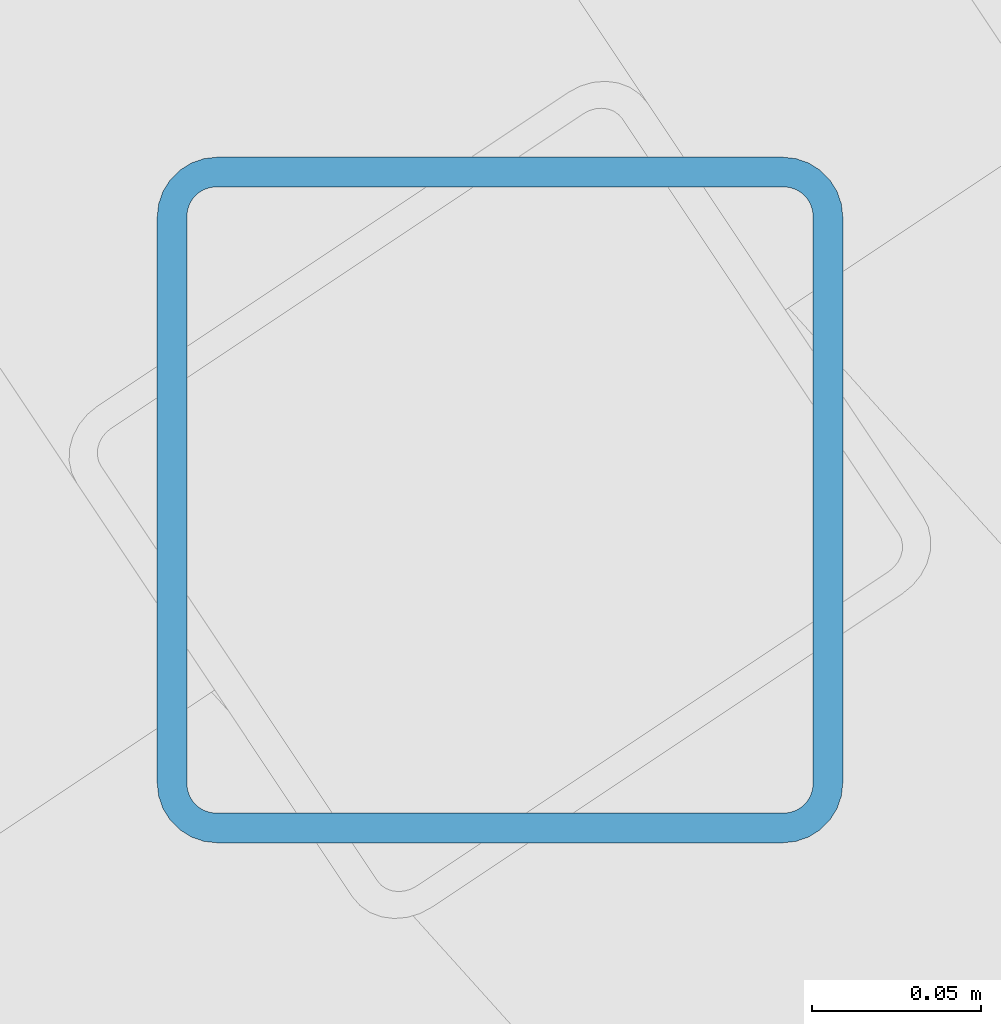
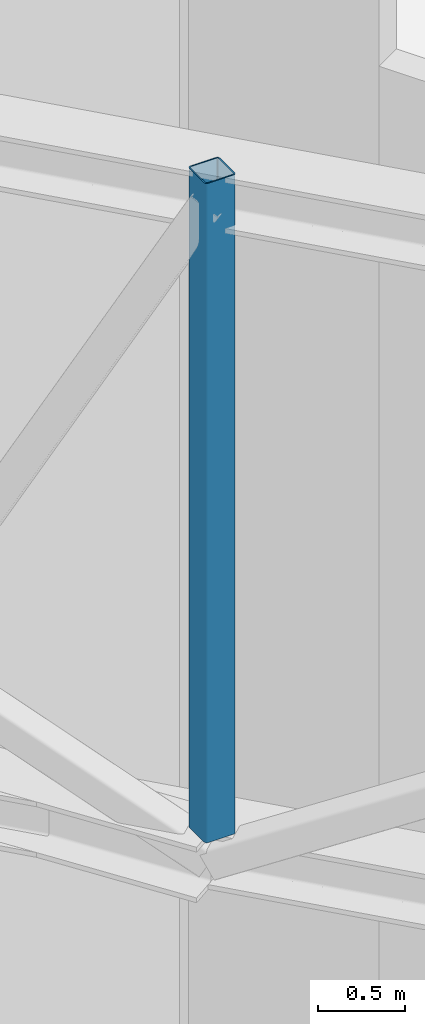
# One storey, part 4 of 23: 1 member.
"""IFC4 building model written with IfcOpenShell, lengths in metres."""

from ifc_helpers import new_model, si_unit, direction, frame, origin, origin_2d, place, context, subcontext, project, spatial, hollow_rectangle, extrude, material, material_profile, profile_set, type_object, element, save


model = new_model("IFC4")

# Units and contexts
model_context = context("Model", 3, precision=1e-05, world=origin(), true_north=direction((0.0, 1.0)))
body_context = subcontext(model_context, "Body", "Model", "MODEL_VIEW")
ifc_project = project(units=[si_unit("LENGTHUNIT", "METRE"), si_unit("AREAUNIT", "SQUARE_METRE"), si_unit("VOLUMEUNIT", "CUBIC_METRE"), si_unit("PLANEANGLEUNIT", "RADIAN"), si_unit("MASSUNIT", "GRAM", prefix="KILO")], contexts=[model_context])

# Site, building, storey
site_placement = place(None, origin())
site = spatial("IfcSite", under=ifc_project, at=site_placement, CompositionType="ELEMENT")
building_placement = place(site_placement, origin())
building = spatial("IfcBuilding", under=site, at=building_placement, Name="Tramontana Tower", CompositionType="ELEMENT")
storey_placement = place(building_placement, frame((0.0, 0.0, 306.39990234375)))
storey = spatial("IfcBuildingStorey", under=building, at=storey_placement, Name="L72", CompositionType="ELEMENT", Elevation=306.39990234375)

# Member
ifc_material = material(Name="Steel ASTM A500 Grade C", Category="steel")
ifc_material_profile = material_profile(ifc_material, hollow_rectangle(XDim=0.203125, YDim=0.203125, WallThickness=0.0087890625, InnerFilletRadius=0.0087890625, OuterFilletRadius=0.017822265625, at=origin_2d()), Name="HSS8X8X3/8")
ifc_profile_set = profile_set([ifc_material_profile], Name="Steel ASTM A500 Grade C")
member_type = type_object("IfcMemberType", Name="Belt truss HSS8X8X3/8 post", PredefinedType="POST", material=ifc_profile_set)
member_placement = place(storey_placement, frame((-13.63134765625, -6.68017578125, 9.037353515625), z_axis=(0.0, 0.0, 1.0), x_axis=(1.0, 0.0, 0.0)))
element("IfcMember", 1, at=member_placement, inside=storey, type_object=member_type, Name="Belt truss post C8F02", PredefinedType="POST", context=body_context, shape_type="SweptSolid", body=[
    extrude(hollow_rectangle(XDim=0.203125, YDim=0.203125, WallThickness=0.0087890625, InnerFilletRadius=0.0087890625, OuterFilletRadius=0.017822265625, at=origin_2d()), origin(), (0.0, 0.0, 1.0), 4.61279296875),
])

save(model, "model.ifc")
